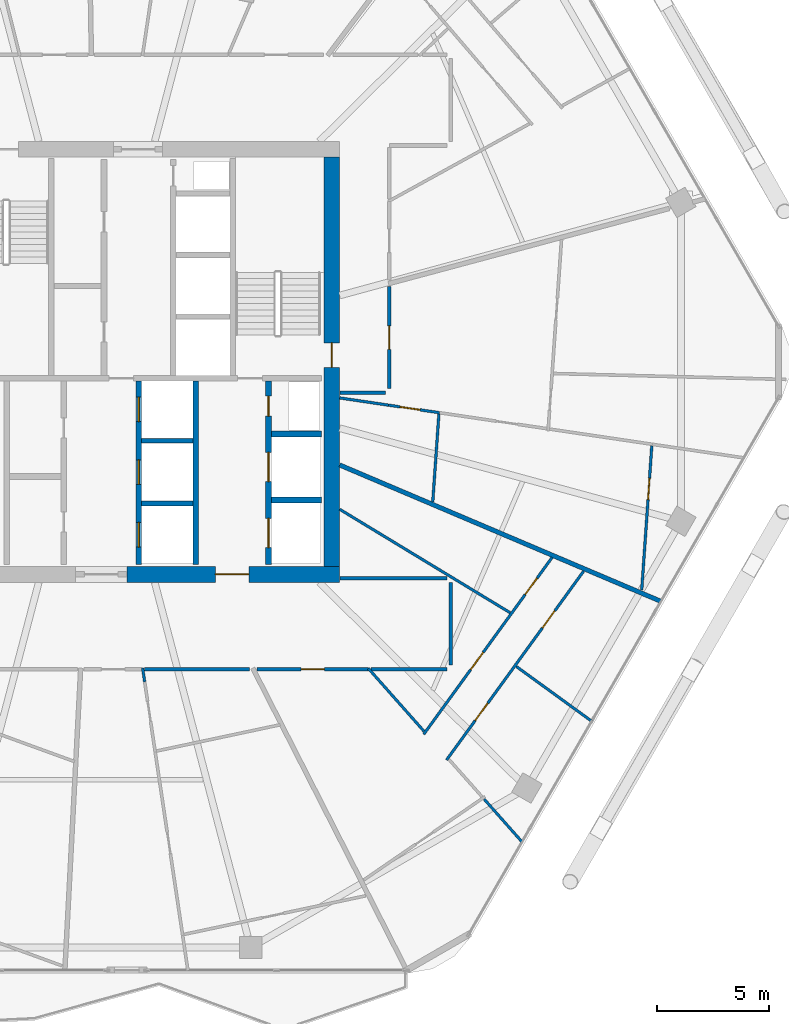
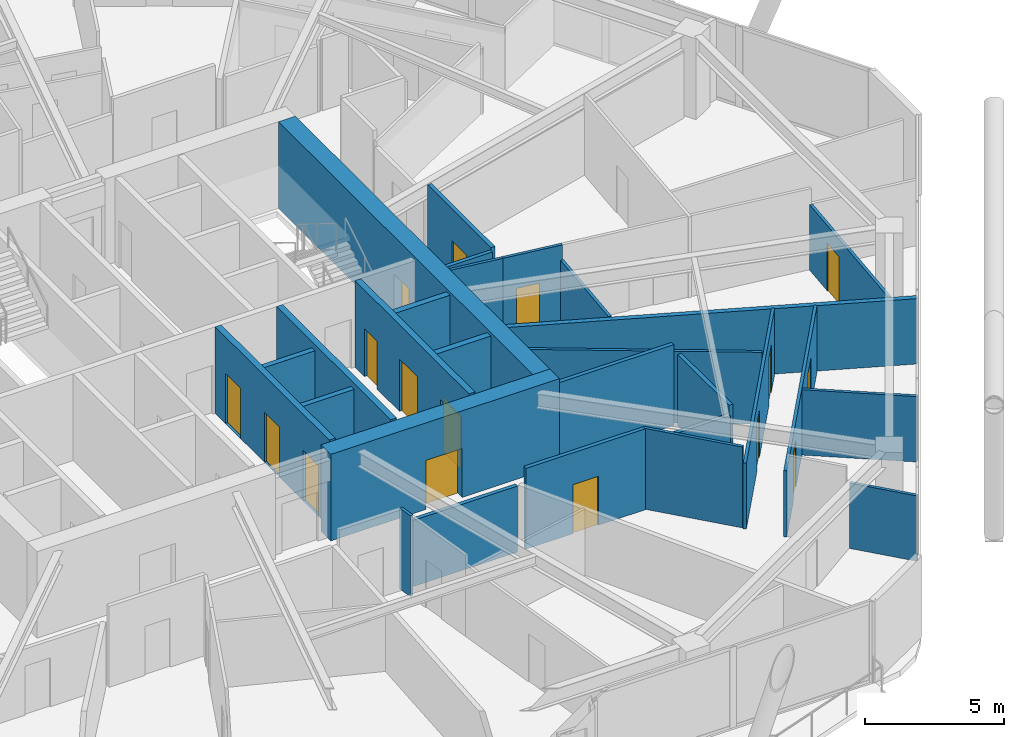
# One storey, part 23 of 29: 28 walls, 16 doors, 16 openings.
"""IFC4 building model written with IfcOpenShell, lengths in metres."""

from ifc_helpers import new_model, si_unit, direction, frame, frame_2d, origin, place, context, subcontext, project, spatial, rectangle, extrude, material, layer, layer_set, type_object, element, fill, save


model = new_model("IFC4")

# Units and contexts
model_context = context("Model", 3, precision=1e-05, world=origin(), true_north=direction((0.0, 1.0)))
body_context = subcontext(model_context, "Body", "Model", "MODEL_VIEW")
ifc_project = project(units=[si_unit("LENGTHUNIT", "METRE"), si_unit("AREAUNIT", "SQUARE_METRE"), si_unit("VOLUMEUNIT", "CUBIC_METRE"), si_unit("PLANEANGLEUNIT", "RADIAN"), si_unit("MASSUNIT", "GRAM", prefix="KILO")], contexts=[model_context])

# Site, building, storey
site_placement = place(None, origin())
site = spatial("IfcSite", under=ifc_project, at=site_placement, CompositionType="ELEMENT")
building_placement = place(site_placement, origin())
building = spatial("IfcBuilding", under=site, at=building_placement, Name="Zuhravey Tower", CompositionType="ELEMENT")
storey_placement = place(building_placement, frame((0.0, 0.0, 184.60009765625)))
storey = spatial("IfcBuildingStorey", under=building, at=storey_placement, Name="L46", CompositionType="ELEMENT", Elevation=184.60009765625)

# Wall, opening, door
ifc_material_1 = material(Name="Concrete C60/75", Category="concrete")
ifc_layer_1 = layer(ifc_material_1, 0.699951171875)
ifc_layer_set_1 = layer_set([ifc_layer_1], Name="Concrete C60/75")
wall_type_1 = type_object("IfcWallType", Name="Core Shear Wall 700", PredefinedType="SHEAR", material=ifc_layer_set_1)
wall_1_placement = place(storey_placement, frame((37.35009765625, 22.5, 0.0), z_axis=(0.0, 0.0, 1.0), x_axis=(1.0, 0.0, 0.0)))
wall_1 = element("IfcWall", 1, at=wall_1_placement, inside=storey, type_object=wall_type_1, Name="L46 South-East Core Shear Wall CW70", PredefinedType="SHEAR", context=body_context, shape_type="SweptSolid", body=[
    extrude(rectangle(XDim=9.5, YDim=0.699951171875, at=frame_2d((4.75, 0.0))), origin(), (0.0, 0.0, 1.0), 3.7998046875),
])
opening_1_placement = place(wall_1_placement, frame((3.949951171875, 0.0, 0.0)))
opening_1 = element("IfcOpeningElement", 2, at=opening_1_placement, cuts=wall_1, Name="Opening FFD1", PredefinedType="OPENING", context=body_context, shape_type="SweptSolid", body=[
    extrude(rectangle(XDim=1.5, YDim=2.14990234375, at=frame_2d((0.75, 1.074951171875))), frame((0.0, 0.362060546875, 0.0), z_axis=(0.0, -1.0, 0.0), x_axis=(1.0, 0.0, 0.0)), (0.0, 0.0, 1.0), 0.723876953125),
])
ifc_material_2 = material(Name="Galvanised fire-rated steel leaf", Category="steel")
door_type_1 = type_object("IfcDoorType", Name="Firefighting Lobby Double Door 1500x2150", OperationType="DOUBLE_DOOR_SINGLE_SWING", PredefinedType="DOOR", material=ifc_material_2)
door_1_placement = place(opening_1_placement, origin())
door_1 = element("IfcDoor", 3, at=door_1_placement, inside=storey, type_object=door_type_1, Name="L46 Firefighting Lobby East Door", OperationType="DOUBLE_DOOR_SINGLE_SWING", OverallHeight=2.14990234375, OverallWidth=1.5, PredefinedType="DOOR", context=body_context, shape_type="SweptSolid", body=[
    extrude(rectangle(XDim=1.5, YDim=2.14990234375, at=frame_2d((0.75, 1.074951171875))), frame((0.0, 0.02490234375, 0.0), z_axis=(0.0, -1.0, 0.0), x_axis=(1.0, 0.0, 0.0)), (0.0, 0.0, 1.0), 0.050048828125),
])
fill(opening_1, door_1)

wall_2_placement = place(storey_placement, frame((46.5, 22.85009765625, 0.0), z_axis=(0.0, 0.0, 1.0), x_axis=(0.0, 1.0, 0.0)))
wall_2 = element("IfcWall", 4, at=wall_2_placement, inside=storey, type_object=wall_type_1, Name="L46 East Core Shear Wall CW70", PredefinedType="SHEAR", context=body_context, shape_type="SweptSolid", body=[
    extrude(rectangle(XDim=18.2998046875, YDim=0.699951171875, at=frame_2d((9.14990234375, 0.0))), origin(), (0.0, 0.0, 1.0), 3.7998046875),
])
opening_2_placement = place(wall_2_placement, frame((8.89990234375, 0.0, 0.0)))
opening_2 = element("IfcOpeningElement", 5, at=opening_2_placement, cuts=wall_2, Name="Opening STD1", PredefinedType="OPENING", context=body_context, shape_type="SweptSolid", body=[
    extrude(rectangle(XDim=1.10009765625, YDim=2.14990234375, at=frame_2d((0.550048828125, 1.074951171875))), frame((0.0, 0.362060546875, 0.0), z_axis=(0.0, -1.0, 0.0), x_axis=(1.0, 0.0, 0.0)), (0.0, 0.0, 1.0), 0.723876953125),
])
door_type_2 = type_object("IfcDoorType", Name="Protected Stair Fire Door 1100x2150", OperationType="NOTDEFINED", PredefinedType="USERDEFINED", material=ifc_material_2)
door_2_placement = place(opening_2_placement, origin())
door_2 = element("IfcDoor", 6, at=door_2_placement, inside=storey, type_object=door_type_2, Name="L46 Stair ST2 Door", ObjectType="EXITDOOR", OperationType="SINGLE_SWING_RIGHT", OverallHeight=2.14990234375, OverallWidth=1.10009765625, PredefinedType="USERDEFINED", context=body_context, shape_type="SweptSolid", body=[
    extrude(rectangle(XDim=1.10009765625, YDim=2.14990234375, at=frame_2d((0.550048828125, 1.074951171875))), frame((0.0, 0.02490234375, 0.0), z_axis=(0.0, -1.0, 0.0), x_axis=(1.0, 0.0, 0.0)), (0.0, 0.0, 1.0), 0.050048828125),
])
fill(opening_2, door_2)

ifc_material_3 = material(Name="Gypsum fire-rated stud partition")
ifc_layer_2 = layer(ifc_material_3, 0.159912109375)
ifc_layer_set_2 = layer_set([ifc_layer_2], Name="Gypsum fire-rated stud partition")
wall_type_2 = type_object("IfcWallType", Name="Corridor Fire Partition 160", PredefinedType="PARTITIONING", material=ifc_layer_set_2)
wall_3_placement = place(storey_placement, frame((43.169921875, 18.27001953125, 0.0), z_axis=(0.0, 0.0, 1.0), x_axis=(1.0, 0.0, 0.0)))
wall_3 = element("IfcWall", 7, at=wall_3_placement, inside=storey, type_object=wall_type_2, Name="L46 IW16 Partition 054", PredefinedType="PARTITIONING", context=body_context, shape_type="SweptSolid", body=[
    extrude(rectangle(XDim=4.9677734375, YDim=0.159912109375, at=frame_2d((2.48388671875, 0.0))), origin(), (0.0, 0.0, 1.0), 3.5498046875),
])
opening_3_placement = place(wall_3_placement, frame((1.958984375, 0.0, 0.0)))
opening_3 = element("IfcOpeningElement", 8, at=opening_3_placement, cuts=wall_3, Name="Opening APD1", PredefinedType="OPENING", context=body_context, shape_type="SweptSolid", body=[
    extrude(rectangle(XDim=1.050048828125, YDim=2.14990234375, at=frame_2d((0.52490234375, 1.074951171875))), frame((0.0, 0.092041015625, 0.0), z_axis=(0.0, -1.0, 0.0), x_axis=(1.0, 0.0, 0.0)), (0.0, 0.0, 1.0), 0.183837890625),
])
ifc_material_4 = material(Name="Solid-core oak fire-rated leaf")
door_type_3 = type_object("IfcDoorType", Name="Apartment Entrance Fire Door 1050x2150", OperationType="NOTDEFINED", PredefinedType="DOOR", material=ifc_material_4)
door_3_placement = place(opening_3_placement, frame((1.050048828125, 0.0, 0.0), z_axis=(0.0, 0.0, 1.0), x_axis=(-1.0, 0.0, 0.0)))
door_3 = element("IfcDoor", 9, at=door_3_placement, inside=storey, type_object=door_type_3, Name="L46 Door 054.1", OperationType="SINGLE_SWING_LEFT", OverallHeight=2.14990234375, OverallWidth=1.050048828125, PredefinedType="DOOR", context=body_context, shape_type="SweptSolid", body=[
    extrude(rectangle(XDim=1.050048828125, YDim=2.14990234375, at=frame_2d((0.52490234375, 1.074951171875))), frame((0.0, 0.02490234375, 0.0), z_axis=(0.0, -1.0, 0.0), x_axis=(1.0, 0.0, 0.0)), (0.0, 0.0, 1.0), 0.050048828125),
])
fill(opening_3, door_3)

wall_4_placement = place(storey_placement, frame((49.080078125, 30.800048828125, 0.0), z_axis=(0.0, 0.0, 1.0), x_axis=(0.0, 1.0, 0.0)))
wall_4 = element("IfcWall", 10, at=wall_4_placement, inside=storey, type_object=wall_type_2, Name="L46 IW16 Partition 060", PredefinedType="PARTITIONING", context=body_context, shape_type="SweptSolid", body=[
    extrude(rectangle(XDim=4.56201171875, YDim=0.159912109375, at=frame_2d((2.281005859375, 0.0))), origin(), (0.0, 0.0, 1.0), 3.5498046875),
])
opening_4_placement = place(wall_4_placement, frame((1.756103515625, 0.0, 0.0)))
opening_4 = element("IfcOpeningElement", 11, at=opening_4_placement, cuts=wall_4, Name="Opening APD1", PredefinedType="OPENING", context=body_context, shape_type="SweptSolid", body=[
    extrude(rectangle(XDim=1.050048828125, YDim=2.14990234375, at=frame_2d((0.52490234375, 1.074951171875))), frame((0.0, 0.092041015625, 0.0), z_axis=(0.0, -1.0, 0.0), x_axis=(1.0, 0.0, 0.0)), (0.0, 0.0, 1.0), 0.183837890625),
])
door_4_placement = place(opening_4_placement, frame((1.050048828125, 0.0, 0.0), z_axis=(0.0, 0.0, 1.0), x_axis=(-1.0, 0.0, 0.0)))
door_4 = element("IfcDoor", 12, at=door_4_placement, inside=storey, type_object=door_type_3, Name="L46 Door 060.1", OperationType="SINGLE_SWING_LEFT", OverallHeight=2.14990234375, OverallWidth=1.050048828125, PredefinedType="DOOR", context=body_context, shape_type="SweptSolid", body=[
    extrude(rectangle(XDim=1.050048828125, YDim=2.14990234375, at=frame_2d((0.52490234375, 1.074951171875))), frame((0.0, 0.02490234375, 0.0), z_axis=(0.0, -1.0, 0.0), x_axis=(1.0, 0.0, 0.0)), (0.0, 0.0, 1.0), 0.050048828125),
])
fill(opening_4, door_4)

# Walls
wall_5_placement = place(storey_placement, frame((38.125732421875, 18.27001953125, 0.0), z_axis=(0.0, 0.0, 1.0), x_axis=(1.0, 0.0, 0.0)))
element("IfcWall", 13, at=wall_5_placement, inside=storey, type_object=wall_type_2, Name="L46 IW16 Partition 142", PredefinedType="PARTITIONING", context=body_context, shape_type="SweptSolid", body=[
    extrude(rectangle(XDim=4.697509765625, YDim=0.159912109375, at=frame_2d((2.3486328125, 0.0))), origin(), (0.0, 0.0, 1.0), 2.89990234375),
])
wall_6_placement = place(storey_placement, frame((51.64990234375, 22.330078125, 0.0), z_axis=(0.0, 0.0, 1.0), x_axis=(-1.0, 0.0, 0.0)))
element("IfcWall", 14, at=wall_6_placement, inside=storey, type_object=wall_type_2, Name="L46 IW16 Partition 143", PredefinedType="PARTITIONING", context=body_context, shape_type="SweptSolid", body=[
    extrude(rectangle(XDim=4.77978515625, YDim=0.159912109375, at=frame_2d((2.389892578125, 0.0))), origin(), (0.0, 0.0, 1.0), 3.5498046875),
])
wall_7_placement = place(storey_placement, frame((51.830078125, 18.449951171875, 0.0), z_axis=(0.0, 0.0, 1.0), x_axis=(0.0, 1.0, 0.0)))
element("IfcWall", 15, at=wall_7_placement, inside=storey, type_object=wall_type_2, Name="L46 IW16 Partition 144", PredefinedType="PARTITIONING", context=body_context, shape_type="SweptSolid", body=[
    extrude(rectangle(XDim=3.699951171875, YDim=0.159912109375, at=frame_2d((1.85009765625, 0.0))), origin(), (0.0, 0.0, 1.0), 3.14990234375),
])
wall_8_placement = place(storey_placement, frame((48.255126953125, 18.27001953125, 0.0), z_axis=(0.0, 0.0, 1.0), x_axis=(1.0, 0.0, 0.0)))
element("IfcWall", 16, at=wall_8_placement, inside=storey, type_object=wall_type_2, Name="L46 IW16 Partition 145", PredefinedType="PARTITIONING", context=body_context, shape_type="SweptSolid", body=[
    extrude(rectangle(XDim=3.394775390625, YDim=0.159912109375, at=frame_2d((1.697265625, 0.0))), origin(), (0.0, 0.0, 1.0), 2.89990234375),
])
wall_9_placement = place(storey_placement, frame((46.8701171875, 30.6201171875, 0.0), z_axis=(0.0, 0.0, 1.0), x_axis=(1.0, 0.0, 0.0)))
element("IfcWall", 17, at=wall_9_placement, inside=storey, type_object=wall_type_2, Name="L46 IW16 Partition 146", PredefinedType="PARTITIONING", context=body_context, shape_type="SweptSolid", body=[
    extrude(rectangle(XDim=2.02978515625, YDim=0.159912109375, at=frame_2d((1.014892578125, 0.0))), origin(), (0.0, 0.0, 1.0), 3.5498046875),
])

# Wall, openings, doors
ifc_material_5 = material(Name="Concrete C50/60", Category="concrete")
ifc_layer_3 = layer(ifc_material_5, 0.25)
ifc_layer_set_3 = layer_set([ifc_layer_3], Name="Concrete C50/60")
wall_type_3 = type_object("IfcWallType", Name="Firefighting Shaft & Stair Wall 250", PredefinedType="SOLIDWALL", material=ifc_layer_set_3)
wall_10_placement = place(storey_placement, frame((37.875, 22.949951171875, 0.0), z_axis=(0.0, 0.0, 1.0), x_axis=(0.0, 1.0, 0.0)))
wall_10 = element("IfcWall", 18, at=wall_10_placement, inside=storey, type_object=wall_type_3, Name="L46 FW25 Shaft Wall 015", PredefinedType="SOLIDWALL", context=body_context, shape_type="SweptSolid", body=[
    extrude(rectangle(XDim=8.199951171875, YDim=0.25, at=frame_2d((4.10009765625, 0.0))), origin(), (0.0, 0.0, 1.0), 3.7998046875),
])
opening_5_placement = place(wall_10_placement, frame((0.77490234375, 0.0, 0.0)))
opening_5 = element("IfcOpeningElement", 19, at=opening_5_placement, cuts=wall_10, Name="Opening LD1", PredefinedType="OPENING", context=body_context, shape_type="SweptSolid", body=[
    extrude(rectangle(XDim=1.10009765625, YDim=2.199951171875, at=frame_2d((0.550048828125, 1.10009765625))), frame((0.0, 0.136962890625, 0.0), z_axis=(0.0, -1.0, 0.0), x_axis=(1.0, 0.0, 0.0)), (0.0, 0.0, 1.0), 0.27392578125),
])
opening_6_placement = place(wall_10_placement, frame((3.574951171875, 0.0, 0.0)))
opening_6 = element("IfcOpeningElement", 20, at=opening_6_placement, cuts=wall_10, Name="Opening LD1", PredefinedType="OPENING", context=body_context, shape_type="SweptSolid", body=[
    extrude(rectangle(XDim=1.10009765625, YDim=2.199951171875, at=frame_2d((0.550048828125, 1.10009765625))), frame((0.0, 0.136962890625, 0.0), z_axis=(0.0, -1.0, 0.0), x_axis=(1.0, 0.0, 0.0)), (0.0, 0.0, 1.0), 0.27392578125),
])
opening_7_placement = place(wall_10_placement, frame((6.375, 0.0, 0.0)))
opening_7 = element("IfcOpeningElement", 21, at=opening_7_placement, cuts=wall_10, Name="Opening LD1", PredefinedType="OPENING", context=body_context, shape_type="SweptSolid", body=[
    extrude(rectangle(XDim=1.10009765625, YDim=2.199951171875, at=frame_2d((0.550048828125, 1.10009765625))), frame((0.0, 0.136962890625, 0.0), z_axis=(0.0, -1.0, 0.0), x_axis=(1.0, 0.0, 0.0)), (0.0, 0.0, 1.0), 0.27392578125),
])
ifc_material_6 = material(Name="Brushed stainless steel", Category="steel")
door_type_4 = type_object("IfcDoorType", Name="Lift Landing Sliding Door 1100x2200", OperationType="DOUBLE_DOOR_SLIDING", PredefinedType="DOOR", material=ifc_material_6)
door_5_placement = place(opening_5_placement, origin())
door_5 = element("IfcDoor", 22, at=door_5_placement, inside=storey, type_object=door_type_4, Name="L46 Lift PL4 Landing Door", OperationType="DOUBLE_DOOR_SLIDING", OverallHeight=2.199951171875, OverallWidth=1.10009765625, PredefinedType="DOOR", context=body_context, shape_type="SweptSolid", body=[
    extrude(rectangle(XDim=1.10009765625, YDim=2.199951171875, at=frame_2d((0.550048828125, 1.10009765625))), frame((0.0, 0.02490234375, 0.0), z_axis=(0.0, -1.0, 0.0), x_axis=(1.0, 0.0, 0.0)), (0.0, 0.0, 1.0), 0.050048828125),
])
fill(opening_5, door_5)
door_6_placement = place(opening_6_placement, origin())
door_6 = element("IfcDoor", 23, at=door_6_placement, inside=storey, type_object=door_type_4, Name="L46 Lift PL5 Landing Door", OperationType="DOUBLE_DOOR_SLIDING", OverallHeight=2.199951171875, OverallWidth=1.10009765625, PredefinedType="DOOR", context=body_context, shape_type="SweptSolid", body=[
    extrude(rectangle(XDim=1.10009765625, YDim=2.199951171875, at=frame_2d((0.550048828125, 1.10009765625))), frame((0.0, 0.02490234375, 0.0), z_axis=(0.0, -1.0, 0.0), x_axis=(1.0, 0.0, 0.0)), (0.0, 0.0, 1.0), 0.050048828125),
])
fill(opening_6, door_6)
door_7_placement = place(opening_7_placement, origin())
door_7 = element("IfcDoor", 24, at=door_7_placement, inside=storey, type_object=door_type_4, Name="L46 Lift PL6 Landing Door", OperationType="DOUBLE_DOOR_SLIDING", OverallHeight=2.199951171875, OverallWidth=1.10009765625, PredefinedType="DOOR", context=body_context, shape_type="SweptSolid", body=[
    extrude(rectangle(XDim=1.10009765625, YDim=2.199951171875, at=frame_2d((0.550048828125, 1.10009765625))), frame((0.0, 0.02490234375, 0.0), z_axis=(0.0, -1.0, 0.0), x_axis=(1.0, 0.0, 0.0)), (0.0, 0.0, 1.0), 0.050048828125),
])
fill(opening_7, door_7)

# Walls
wall_11_placement = place(storey_placement, frame((40.425048828125, 22.949951171875, 0.0), z_axis=(0.0, 0.0, 1.0), x_axis=(0.0, 1.0, 0.0)))
element("IfcWall", 25, at=wall_11_placement, inside=storey, type_object=wall_type_3, Name="L46 FW25 Shaft Wall 016", PredefinedType="SOLIDWALL", context=body_context, shape_type="SweptSolid", body=[
    extrude(rectangle(XDim=8.199951171875, YDim=0.25, at=frame_2d((4.10009765625, 0.0))), origin(), (0.0, 0.0, 1.0), 3.7998046875),
])
for number, where, z_axis, x_axis, name in (
    (26, (43.800048828125, 25.824951171875, 0.0), (0.0, 0.0, 1.0), (1.0, 0.0, 0.0), "L46 FW25 Shaft Wall 017"),
    (27, (43.800048828125, 28.77490234375, 0.0), (0.0, 0.0, 1.0), (1.0, 0.0, 0.0), "L46 FW25 Shaft Wall 018"),
):
    element("IfcWall", number, at=place(storey_placement, frame(where, z_axis=z_axis, x_axis=x_axis)), inside=storey, type_object=wall_type_3, Name=name, PredefinedType="SOLIDWALL", context=body_context, shape_type="SweptSolid", body=[
        extrude(rectangle(XDim=2.25, YDim=0.25, at=frame_2d((1.125, 0.0))), origin(), (0.0, 0.0, 1.0), 3.7998046875),
    ])

# Wall, openings, doors
wall_12_placement = place(storey_placement, frame((43.675048828125, 22.949951171875, 0.0), z_axis=(0.0, 0.0, 1.0), x_axis=(0.0, 1.0, 0.0)))
wall_12 = element("IfcWall", 28, at=wall_12_placement, inside=storey, type_object=wall_type_3, Name="L46 FW25 Shaft Wall 019", PredefinedType="SOLIDWALL", context=body_context, shape_type="SweptSolid", body=[
    extrude(rectangle(XDim=8.199951171875, YDim=0.25, at=frame_2d((4.10009765625, 0.0))), origin(), (0.0, 0.0, 1.0), 3.7998046875),
])
opening_8_placement = place(wall_12_placement, frame((0.75, 0.0, 0.0)))
opening_8 = element("IfcOpeningElement", 29, at=opening_8_placement, cuts=wall_12, Name="Opening LD2", PredefinedType="OPENING", context=body_context, shape_type="SweptSolid", body=[
    extrude(rectangle(XDim=1.300048828125, YDim=2.300048828125, at=frame_2d((0.64990234375, 1.14990234375))), frame((0.0, 0.136962890625, 0.0), z_axis=(0.0, -1.0, 0.0), x_axis=(1.0, 0.0, 0.0)), (0.0, 0.0, 1.0), 0.27392578125),
])
opening_9_placement = place(wall_12_placement, frame((3.699951171875, 0.0, 0.0)))
opening_9 = element("IfcOpeningElement", 30, at=opening_9_placement, cuts=wall_12, Name="Opening LD2", PredefinedType="OPENING", context=body_context, shape_type="SweptSolid", body=[
    extrude(rectangle(XDim=1.300048828125, YDim=2.300048828125, at=frame_2d((0.64990234375, 1.14990234375))), frame((0.0, 0.136962890625, 0.0), z_axis=(0.0, -1.0, 0.0), x_axis=(1.0, 0.0, 0.0)), (0.0, 0.0, 1.0), 0.27392578125),
])
opening_10_placement = place(wall_12_placement, frame((6.6201171875, 0.0, 0.0)))
opening_10 = element("IfcOpeningElement", 31, at=opening_10_placement, cuts=wall_12, Name="Opening RSD1", PredefinedType="OPENING", context=body_context, shape_type="SweptSolid", body=[
    extrude(rectangle(XDim=0.89990234375, YDim=2.10009765625, at=frame_2d((0.449951171875, 1.050048828125))), frame((0.0, 0.136962890625, 0.0), z_axis=(0.0, -1.0, 0.0), x_axis=(1.0, 0.0, 0.0)), (0.0, 0.0, 1.0), 0.27392578125),
])
door_type_5 = type_object("IfcDoorType", Name="Freight & Stretcher Lift Sliding Door 1300x2300", OperationType="DOUBLE_DOOR_SLIDING", PredefinedType="DOOR", material=ifc_material_6)
door_8_placement = place(opening_8_placement, origin())
door_8 = element("IfcDoor", 32, at=door_8_placement, inside=storey, type_object=door_type_5, Name="L46 Lift FF2 Landing Door", OperationType="DOUBLE_DOOR_SLIDING", OverallHeight=2.300048828125, OverallWidth=1.300048828125, PredefinedType="DOOR", context=body_context, shape_type="SweptSolid", body=[
    extrude(rectangle(XDim=1.300048828125, YDim=2.300048828125, at=frame_2d((0.64990234375, 1.14990234375))), frame((0.0, 0.02490234375, 0.0), z_axis=(0.0, -1.0, 0.0), x_axis=(1.0, 0.0, 0.0)), (0.0, 0.0, 1.0), 0.050048828125),
])
fill(opening_8, door_8)
door_9_placement = place(opening_9_placement, origin())
door_9 = element("IfcDoor", 33, at=door_9_placement, inside=storey, type_object=door_type_5, Name="L46 Lift SV1 Landing Door", OperationType="DOUBLE_DOOR_SLIDING", OverallHeight=2.300048828125, OverallWidth=1.300048828125, PredefinedType="DOOR", context=body_context, shape_type="SweptSolid", body=[
    extrude(rectangle(XDim=1.300048828125, YDim=2.300048828125, at=frame_2d((0.64990234375, 1.14990234375))), frame((0.0, 0.02490234375, 0.0), z_axis=(0.0, -1.0, 0.0), x_axis=(1.0, 0.0, 0.0)), (0.0, 0.0, 1.0), 0.050048828125),
])
fill(opening_9, door_9)
ifc_material_7 = material(Name="Galvanised fire-rated steel access leaf", Category="steel")
door_type_6 = type_object("IfcDoorType", Name="Riser & Shaft Access Fire Door 900x2100", OperationType="NOTDEFINED", PredefinedType="DOOR", material=ifc_material_7)
door_10_placement = place(opening_10_placement, origin())
door_10 = element("IfcDoor", 34, at=door_10_placement, inside=storey, type_object=door_type_6, Name="L46 Plumbing Riser Door", OperationType="SINGLE_SWING_RIGHT", OverallHeight=2.10009765625, OverallWidth=0.89990234375, PredefinedType="DOOR", context=body_context, shape_type="SweptSolid", body=[
    extrude(rectangle(XDim=0.89990234375, YDim=2.10009765625, at=frame_2d((0.449951171875, 1.050048828125))), frame((0.0, 0.02490234375, 0.0), z_axis=(0.0, -1.0, 0.0), x_axis=(1.0, 0.0, 0.0)), (0.0, 0.0, 1.0), 0.050048828125),
])
fill(opening_10, door_10)

# Walls
ifc_material_8 = material(Name="Gypsum double-stud party assembly")
ifc_layer_4 = layer(ifc_material_8, 0.199951171875)
ifc_layer_set_4 = layer_set([ifc_layer_4], Name="Gypsum double-stud party assembly")
wall_type_4 = type_object("IfcWallType", Name="Inter-Tenancy Party Wall 200", PredefinedType="PARTITIONING", material=ifc_layer_set_4)
wall_13_placement = place(storey_placement, frame((46.85791015625, 27.39111328125, 0.0), z_axis=(0.0, 0.0, 1.0), x_axis=(0.920508238271, -0.390723154261, 0.0)))
element("IfcWall", 35, at=wall_13_placement, inside=storey, type_object=wall_type_4, Name="L46 IW20 Partition 117", PredefinedType="PARTITIONING", context=body_context, shape_type="SweptSolid", body=[
    extrude(rectangle(XDim=15.591796875, YDim=0.199951171875, at=frame_2d((7.7958984375, 0.0))), origin(), (0.0, 0.0, 1.0), 2.869873046875),
])
ifc_material_9 = material(Name="Gypsum acoustic stud assembly")
ifc_layer_5 = layer(ifc_material_9, 0.219970703125)
ifc_layer_set_5 = layer_set([ifc_layer_5], Name="Gypsum acoustic stud assembly")
wall_type_5 = type_object("IfcWallType", Name="School Acoustic Compartment Wall 220", PredefinedType="PARTITIONING", material=ifc_layer_set_5)
for number, where, z_axis, x_axis, name in (
    (36, (38.008056640625, 25.675048828125, 0.0), (0.0, 0.0, 1.0), (1.0, 0.0, 0.0), "L46 IW22 Partition 065"),
    (37, (38.008056640625, 28.47509765625, 0.0), (0.0, 0.0, 1.0), (1.0, 0.0, 0.0), "L46 IW22 Partition 066"),
):
    element("IfcWall", number, at=place(storey_placement, frame(where, z_axis=z_axis, x_axis=x_axis)), inside=storey, type_object=wall_type_5, Name=name, PredefinedType="PARTITIONING", context=body_context, shape_type="SweptSolid", body=[
        extrude(rectangle(XDim=2.283935546875, YDim=0.219970703125, at=frame_2d((1.14208984375, 0.0))), origin(), (0.0, 0.0, 1.0), 3.5498046875),
    ])

# Wall, openings, doors
ifc_material_10 = material(Name="Gypsum metal-stud partition")
ifc_layer_6 = layer(ifc_material_10, 0.1201171875)
ifc_layer_set_6 = layer_set([ifc_layer_6], Name="Gypsum metal-stud partition")
wall_type_6 = type_object("IfcWallType", Name="Unit Internal Partition 120", PredefinedType="PARTITIONING", material=ifc_layer_set_6)
wall_14_placement = place(storey_placement, frame((50.61328125, 15.35498046875, 0.0), z_axis=(0.0, 0.0, 1.0), x_axis=(0.587519111836, 0.809210289867, 0.0)))
wall_14 = element("IfcWall", 38, at=wall_14_placement, inside=storey, type_object=wall_type_6, Name="L46 IW12 Partition 052", PredefinedType="PARTITIONING", context=body_context, shape_type="SweptSolid", body=[
    extrude(rectangle(XDim=9.768310546875, YDim=0.1201171875, at=frame_2d((4.88427734375, 0.0))), origin(), (0.0, 0.0, 1.0), 2.89990234375),
])
opening_11_placement = place(wall_14_placement, frame((3.572021484375, 0.0, 0.0)))
opening_11 = element("IfcOpeningElement", 39, at=opening_11_placement, cuts=wall_14, Name="Opening IND1", PredefinedType="OPENING", context=body_context, shape_type="SweptSolid", body=[
    extrude(rectangle(XDim=0.949951171875, YDim=2.10009765625, at=frame_2d((0.47509765625, 1.050048828125))), frame((0.0, 0.072021484375, 0.0), z_axis=(0.0, -1.0, 0.0), x_axis=(1.0, 0.0, 0.0)), (0.0, 0.0, 1.0), 0.14404296875),
])
opening_12_placement = place(wall_14_placement, frame((7.718505859375, 0.0, 0.0)))
opening_12 = element("IfcOpeningElement", 40, at=opening_12_placement, cuts=wall_14, Name="Opening WCD1", PredefinedType="OPENING", context=body_context, shape_type="SweptSolid", body=[
    extrude(rectangle(XDim=0.89990234375, YDim=2.10009765625, at=frame_2d((0.449951171875, 1.050048828125))), frame((0.0, 0.072021484375, 0.0), z_axis=(0.0, -1.0, 0.0), x_axis=(1.0, 0.0, 0.0)), (0.0, 0.0, 1.0), 0.14404296875),
])
ifc_material_11 = material(Name="Moisture-resistant timber leaf", Category="wood")
door_type_7 = type_object("IfcDoorType", Name="Bathroom & WC Internal Door 900x2100", OperationType="NOTDEFINED", PredefinedType="DOOR", material=ifc_material_11)
door_11_placement = place(opening_12_placement, origin())
door_11 = element("IfcDoor", 41, at=door_11_placement, inside=storey, type_object=door_type_7, Name="Apartment L46-09 Bathroom Door", OperationType="SINGLE_SWING_RIGHT", OverallHeight=2.10009765625, OverallWidth=0.89990234375, PredefinedType="DOOR", context=body_context, shape_type="SweptSolid", body=[
    extrude(rectangle(XDim=0.89990234375, YDim=2.10009765625, at=frame_2d((0.449951171875, 1.050048828125))), frame((0.0, 0.02490234375, 0.0), z_axis=(0.0, -1.0, 0.0), x_axis=(1.0, 0.0, 0.0)), (0.0, 0.0, 1.0), 0.050048828125),
])
fill(opening_12, door_11)
ifc_material_12 = material(Name="Painted engineered timber leaf", Category="wood")
door_type_8 = type_object("IfcDoorType", Name="Internal Room & Bedroom Door 950x2100", OperationType="NOTDEFINED", PredefinedType="DOOR", material=ifc_material_12)
door_12_placement = place(opening_11_placement, origin())
door_12 = element("IfcDoor", 42, at=door_12_placement, inside=storey, type_object=door_type_8, Name="Apartment L46-09 Kitchen Door", OperationType="SINGLE_SWING_LEFT", OverallHeight=2.10009765625, OverallWidth=0.949951171875, PredefinedType="DOOR", context=body_context, shape_type="SweptSolid", body=[
    extrude(rectangle(XDim=0.949951171875, YDim=2.10009765625, at=frame_2d((0.47509765625, 1.050048828125))), frame((0.0, 0.02490234375, 0.0), z_axis=(0.0, -1.0, 0.0), x_axis=(1.0, 0.0, 0.0)), (0.0, 0.0, 1.0), 0.050048828125),
])
fill(opening_11, door_12)

wall_15_placement = place(storey_placement, frame((51.632080078125, 14.205078125, 0.0), z_axis=(0.0, 0.0, 1.0), x_axis=(0.587503568884, 0.809221574446, 0.0)))
wall_15 = element("IfcWall", 43, at=wall_15_placement, inside=storey, type_object=wall_type_6, Name="L46 IW12 Partition 053", PredefinedType="PARTITIONING", context=body_context, shape_type="SweptSolid", body=[
    extrude(rectangle(XDim=10.43212890625, YDim=0.1201171875, at=frame_2d((5.216064453125, 0.0))), origin(), (0.0, 0.0, 1.0), 2.89990234375),
])
opening_13_placement = place(wall_15_placement, frame((2.18310546875, 0.0, 0.0)))
opening_13 = element("IfcOpeningElement", 44, at=opening_13_placement, cuts=wall_15, Name="Opening IND1", PredefinedType="OPENING", context=body_context, shape_type="SweptSolid", body=[
    extrude(rectangle(XDim=0.949951171875, YDim=2.10009765625, at=frame_2d((0.47509765625, 1.050048828125))), frame((0.0, 0.072021484375, 0.0), z_axis=(0.0, -1.0, 0.0), x_axis=(1.0, 0.0, 0.0)), (0.0, 0.0, 1.0), 0.14404296875),
])
opening_14_placement = place(wall_15_placement, frame((7.299072265625, 0.0, 0.0)))
opening_14 = element("IfcOpeningElement", 45, at=opening_14_placement, cuts=wall_15, Name="Opening IND1", PredefinedType="OPENING", context=body_context, shape_type="SweptSolid", body=[
    extrude(rectangle(XDim=0.949951171875, YDim=2.10009765625, at=frame_2d((0.47509765625, 1.050048828125))), frame((0.0, 0.072021484375, 0.0), z_axis=(0.0, -1.0, 0.0), x_axis=(1.0, 0.0, 0.0)), (0.0, 0.0, 1.0), 0.14404296875),
])
door_13_placement = place(opening_13_placement, frame((0.949951171875, 0.0, 0.0), z_axis=(0.0, 0.0, 1.0), x_axis=(-1.0, 0.0, 0.0)))
door_13 = element("IfcDoor", 46, at=door_13_placement, inside=storey, type_object=door_type_8, Name="Apartment L46-09 Bedroom 1 Door", OperationType="SINGLE_SWING_LEFT", OverallHeight=2.10009765625, OverallWidth=0.949951171875, PredefinedType="DOOR", context=body_context, shape_type="SweptSolid", body=[
    extrude(rectangle(XDim=0.949951171875, YDim=2.10009765625, at=frame_2d((0.47509765625, 1.050048828125))), frame((0.0, 0.02490234375, 0.0), z_axis=(0.0, -1.0, 0.0), x_axis=(1.0, 0.0, 0.0)), (0.0, 0.0, 1.0), 0.050048828125),
])
fill(opening_13, door_13)
door_14_placement = place(opening_14_placement, frame((0.949951171875, 0.0, 0.0), z_axis=(0.0, 0.0, 1.0), x_axis=(-1.0, 0.0, 0.0)))
door_14 = element("IfcDoor", 47, at=door_14_placement, inside=storey, type_object=door_type_8, Name="Apartment L46-09 Bedroom 2 Door", OperationType="SINGLE_SWING_RIGHT", OverallHeight=2.10009765625, OverallWidth=0.949951171875, PredefinedType="DOOR", context=body_context, shape_type="SweptSolid", body=[
    extrude(rectangle(XDim=0.949951171875, YDim=2.10009765625, at=frame_2d((0.47509765625, 1.050048828125))), frame((0.0, 0.02490234375, 0.0), z_axis=(0.0, -1.0, 0.0), x_axis=(1.0, 0.0, 0.0)), (0.0, 0.0, 1.0), 0.050048828125),
])
fill(opening_14, door_14)

# Wall, opening, door
wall_16_placement = place(storey_placement, frame((49.04541015625, 30.064208984375, 0.0), z_axis=(0.0, 0.0, 1.0), x_axis=(0.989173245812, -0.146752477897, 0.0)))
wall_16 = element("IfcWall", 48, at=wall_16_placement, inside=storey, type_object=wall_type_6, Name="L46 IW12 Partition 056", PredefinedType="PARTITIONING", context=body_context, shape_type="SweptSolid", body=[
    extrude(rectangle(XDim=2.30078125, YDim=0.1201171875, at=frame_2d((1.150390625, 0.0))), origin(), (0.0, 0.0, 1.0), 3.5498046875),
])
opening_15_placement = place(wall_16_placement, frame((0.516357421875, 0.0, 0.0)))
opening_15 = element("IfcOpeningElement", 49, at=opening_15_placement, cuts=wall_16, Name="Opening WCD1", PredefinedType="OPENING", context=body_context, shape_type="SweptSolid", body=[
    extrude(rectangle(XDim=0.89990234375, YDim=2.10009765625, at=frame_2d((0.449951171875, 1.050048828125))), frame((0.0, 0.072021484375, 0.0), z_axis=(0.0, -1.0, 0.0), x_axis=(1.0, 0.0, 0.0)), (0.0, 0.0, 1.0), 0.14404296875),
])
door_15_placement = place(opening_15_placement, frame((0.89990234375, 0.0, 0.0), z_axis=(0.0, 0.0, 1.0), x_axis=(-1.0, 0.0, 0.0)))
door_15 = element("IfcDoor", 50, at=door_15_placement, inside=storey, type_object=door_type_7, Name="Apartment L46-10 Bathroom Door", OperationType="SINGLE_SWING_RIGHT", OverallHeight=2.10009765625, OverallWidth=0.89990234375, PredefinedType="DOOR", context=body_context, shape_type="SweptSolid", body=[
    extrude(rectangle(XDim=0.89990234375, YDim=2.10009765625, at=frame_2d((0.449951171875, 1.050048828125))), frame((0.0, 0.02490234375, 0.0), z_axis=(0.0, -1.0, 0.0), x_axis=(1.0, 0.0, 0.0)), (0.0, 0.0, 1.0), 0.050048828125),
])
fill(opening_15, door_15)

wall_17_placement = place(storey_placement, frame((60.3564453125, 21.802978515625, 0.0), z_axis=(0.0, 0.0, 1.0), x_axis=(0.069770485872, 0.997563070337, 0.0)))
wall_17 = element("IfcWall", 51, at=wall_17_placement, inside=storey, type_object=wall_type_6, Name="L46 IW12 Partition 059", PredefinedType="PARTITIONING", context=body_context, shape_type="SweptSolid", body=[
    extrude(rectangle(XDim=6.463134765625, YDim=0.1201171875, at=frame_2d((3.2314453125, 0.0))), origin(), (0.0, 0.0, 1.0), 2.869873046875),
])
opening_16_placement = place(wall_17_placement, frame((4.055419921875, 0.0, 0.0)))
opening_16 = element("IfcOpeningElement", 52, at=opening_16_placement, cuts=wall_17, Name="Opening IND1", PredefinedType="OPENING", context=body_context, shape_type="SweptSolid", body=[
    extrude(rectangle(XDim=0.949951171875, YDim=2.10009765625, at=frame_2d((0.47509765625, 1.050048828125))), frame((0.0, 0.072021484375, 0.0), z_axis=(0.0, -1.0, 0.0), x_axis=(1.0, 0.0, 0.0)), (0.0, 0.0, 1.0), 0.14404296875),
])
door_16_placement = place(opening_16_placement, frame((0.949951171875, 0.0, 0.0), z_axis=(0.0, 0.0, 1.0), x_axis=(-1.0, 0.0, 0.0)))
door_16 = element("IfcDoor", 53, at=door_16_placement, inside=storey, type_object=door_type_8, Name="Apartment L46-10 Bedroom 1 Door", OperationType="SINGLE_SWING_RIGHT", OverallHeight=2.10009765625, OverallWidth=0.949951171875, PredefinedType="DOOR", context=body_context, shape_type="SweptSolid", body=[
    extrude(rectangle(XDim=0.949951171875, YDim=2.10009765625, at=frame_2d((0.47509765625, 1.050048828125))), frame((0.0, 0.02490234375, 0.0), z_axis=(0.0, -1.0, 0.0), x_axis=(1.0, 0.0, 0.0)), (0.0, 0.0, 1.0), 0.050048828125),
])
fill(opening_16, door_16)

# Walls
wall_18_placement = place(storey_placement, frame((38.05029296875, 18.314697265625, 0.0), z_axis=(0.0, 0.0, 1.0), x_axis=(0.148071563401, -0.988976648922, 0.0)))
element("IfcWall", 54, at=wall_18_placement, inside=storey, type_object=wall_type_6, Name="L46 IW12 Partition 108", PredefinedType="PARTITIONING", context=body_context, shape_type="SweptSolid", body=[
    extrude(rectangle(XDim=0.62158203125, YDim=0.1201171875, at=frame_2d((0.310791015625, 0.0))), origin(), (0.0, 0.0, 1.0), 3.5498046875),
])
wall_19_placement = place(storey_placement, frame((46.85791015625, 25.4111328125, 0.0), z_axis=(0.0, 0.0, 1.0), x_axis=(0.854916867304, -0.518765023878, 0.0)))
element("IfcWall", 55, at=wall_19_placement, inside=storey, type_object=wall_type_6, Name="L46 IW12 Partition 112", PredefinedType="PARTITIONING", context=body_context, shape_type="SweptSolid", body=[
    extrude(rectangle(XDim=8.9091796875, YDim=0.1201171875, at=frame_2d((4.45458984375, 0.0))), origin(), (0.0, 0.0, 1.0), 3.14990234375),
])
wall_20_placement = place(storey_placement, frame((54.751708984375, 18.385986328125, 0.0), z_axis=(0.0, 0.0, 1.0), x_axis=(0.809234621537, -0.587485597531, 0.0)))
element("IfcWall", 56, at=wall_20_placement, inside=storey, type_object=wall_type_6, Name="L46 IW12 Partition 113", PredefinedType="PARTITIONING", context=body_context, shape_type="SweptSolid", body=[
    extrude(rectangle(XDim=4.16943359375, YDim=0.1201171875, at=frame_2d((2.084716796875, 0.0))), origin(), (0.0, 0.0, 1.0), 2.869873046875),
])
wall_21_placement = place(storey_placement, frame((48.1376953125, 18.300048828125, 0.0), z_axis=(0.0, 0.0, 1.0), x_axis=(0.663123743862, -0.748509786393, 0.0)))
element("IfcWall", 57, at=wall_21_placement, inside=storey, type_object=wall_type_6, Name="L46 IW12 Partition 114", PredefinedType="PARTITIONING", context=body_context, shape_type="SweptSolid", body=[
    extrude(rectangle(XDim=3.754150390625, YDim=0.1201171875, at=frame_2d((1.876953125, 0.0))), origin(), (0.0, 0.0, 1.0), 3.5498046875),
])
wall_22_placement = place(storey_placement, frame((53.31201171875, 12.4599609375, 0.0), z_axis=(0.0, 0.0, 1.0), x_axis=(0.663102409331, -0.748528686651, 0.0)))
element("IfcWall", 58, at=wall_22_placement, inside=storey, type_object=wall_type_6, Name="L46 IW12 Partition 116", PredefinedType="PARTITIONING", context=body_context, shape_type="SweptSolid", body=[
    extrude(rectangle(XDim=2.560791015625, YDim=0.1201171875, at=frame_2d((1.2802734375, 0.0))), origin(), (0.0, 0.0, 1.0), 2.869873046875),
])
wall_23_placement = place(storey_placement, frame((46.85791015625, 30.388916015625, 0.0), z_axis=(0.0, 0.0, 1.0), x_axis=(0.989161931015, -0.146828724135, 0.0)))
element("IfcWall", 59, at=wall_23_placement, inside=storey, type_object=wall_type_6, Name="L46 IW12 Partition 119", PredefinedType="PARTITIONING", context=body_context, shape_type="SweptSolid", body=[
    extrude(rectangle(XDim=2.21142578125, YDim=0.1201171875, at=frame_2d((1.105712890625, 0.0))), origin(), (0.0, 0.0, 1.0), 3.5498046875),
])
wall_24_placement = place(storey_placement, frame((51.017578125, 25.74267578125, 0.0), z_axis=(0.0, 0.0, 1.0), x_axis=(0.069719060605, 0.997566665736, 0.0)))
element("IfcWall", 60, at=wall_24_placement, inside=storey, type_object=wall_type_6, Name="L46 IW12 Partition 121", PredefinedType="PARTITIONING", context=body_context, shape_type="SweptSolid", body=[
    extrude(rectangle(XDim=3.928955078125, YDim=0.1201171875, at=frame_2d((1.96435546875, 0.0))), origin(), (0.0, 0.0, 1.0), 2.89990234375),
])

save(model, "model.ifc")
